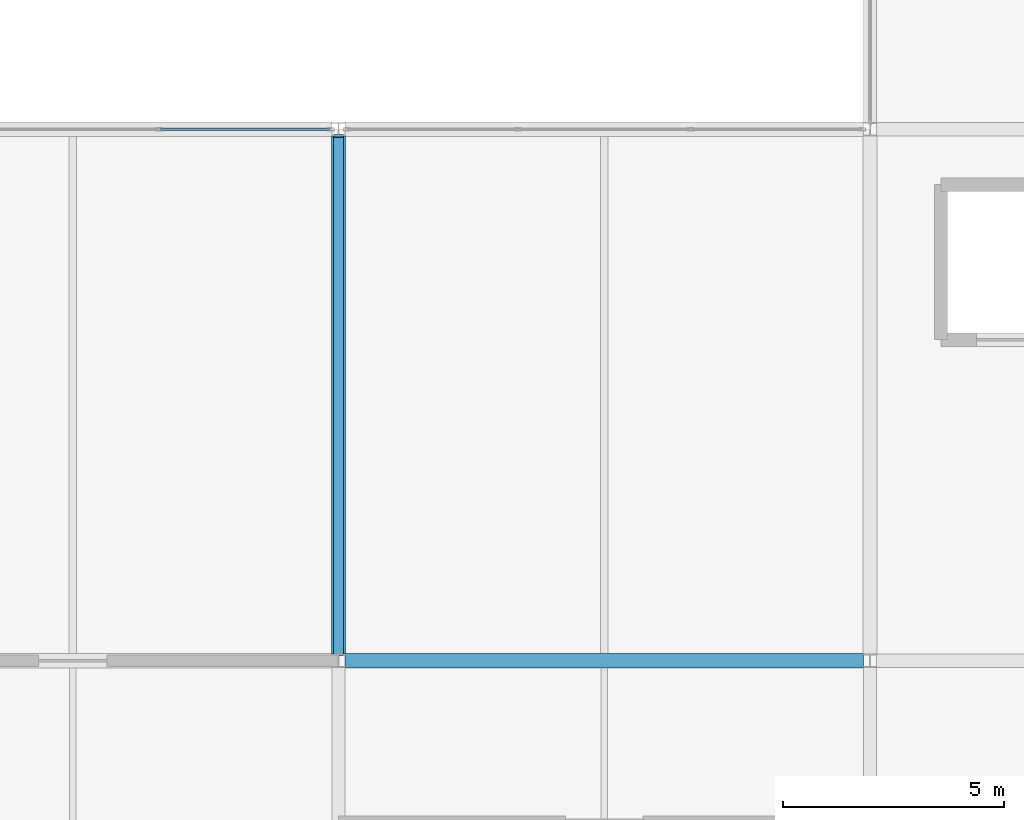
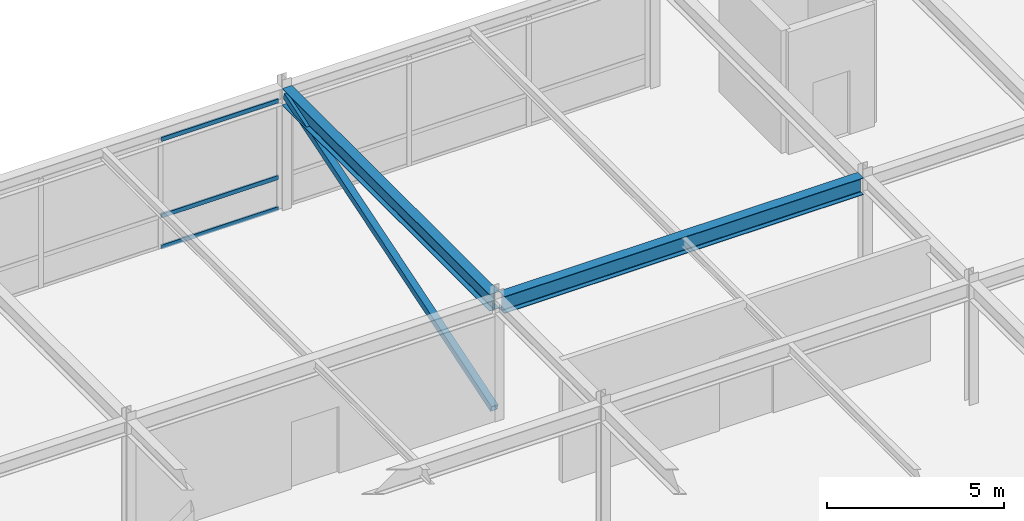
# One storey, part 33 of 108: 4 members, 2 beams, 1 element without a shape of its own.
"""IFC4 building model written with IfcOpenShell, lengths in metres."""

import ifcopenshell
import ifcopenshell.guid

model = None  # the IFC model being written
_history = None  # IfcOwnerHistory: only IFC2X3 demands one
_inside = {}  # id of a spatial element -> (the spatial element, [elements in it])
_under = {}  # id of a project, library or spatial element -> (it, [spatial elements below it])
_declared = {}  # id of a project -> (the project, [libraries it declares])
_typed = {}  # id of a type object -> (the type object, [elements of that type])
_made_of = {}  # id of a material, layer set ... -> (it, [elements and type objects made of it])


def new_model(schema):
    """Start an empty IFC model of exactly this schema.

    Asked for "IFC4X3", IfcOpenShell would pick the latest addendum, in which some entities
    have other attributes; the version numbers below select the first issue.
    IFC2X3 requires an IfcOwnerHistory on every rooted entity: one is made here for all.
    """
    global model, _history
    if schema == "IFC4X3":
        model = ifcopenshell.file(schema_version=(4, 3, 0, 0))
    else:
        model = ifcopenshell.file(schema=schema)
    _inside.clear()
    _under.clear()
    _declared.clear()
    _typed.clear()
    _made_of.clear()
    _history = None
    if model.schema == "IFC2X3":
        org = make("IfcOrganization", Name="unknown")
        user = make(
            "IfcPersonAndOrganization",
            ThePerson=make("IfcPerson", FamilyName="unknown"),
            TheOrganization=org,
        )
        app = make(
            "IfcApplication",
            ApplicationDeveloper=org,
            Version="unknown",
            ApplicationFullName="unknown",
            ApplicationIdentifier="unknown",
        )
        _history = make(
            "IfcOwnerHistory",
            OwningUser=user,
            OwningApplication=app,
            ChangeAction="ADDED",
            CreationDate=0,
        )
    return model


def make(cls, **values):
    """One entity of the class cls with the attributes given. An attribute that is None is left unset."""
    return model.create_entity(
        cls, **{name: value for name, value in values.items() if value is not None}
    )


def rooted(cls, **values):
    """An entity with a GlobalId (a new one), such as an element, a storey or a relation."""
    return make(cls, GlobalId=ifcopenshell.guid.new(), OwnerHistory=_history, **values)


def si_unit(unit_type, name, prefix=None):
    """IfcSIUnit, for example si_unit("LENGTHUNIT", "METRE", prefix="MILLI")."""
    return make("IfcSIUnit", UnitType=unit_type, Prefix=prefix, Name=name)


def assignment(units):
    """IfcUnitAssignment: the units of a project."""
    return None if units is None else make("IfcUnitAssignment", Units=units)


def point(xyz):
    """IfcCartesianPoint."""
    return None if xyz is None else make("IfcCartesianPoint", Coordinates=xyz)


def direction(xyz):
    """IfcDirection."""
    return None if xyz is None else make("IfcDirection", DirectionRatios=xyz)


def frame(location, z_axis=None, x_axis=None):
    """IfcAxis2Placement3D, a coordinate frame: its origin and axes. An axis left out is left unset."""
    return make(
        "IfcAxis2Placement3D",
        Location=point(location),
        Axis=direction(z_axis),
        RefDirection=direction(x_axis),
    )


def frame_2d(location, x_axis=None):
    """IfcAxis2Placement2D, a coordinate frame in the plane: its origin and x axis."""
    return make(
        "IfcAxis2Placement2D", Location=point(location), RefDirection=direction(x_axis)
    )


def origin():
    """The frame at (0, 0, 0) with its axes left unset."""
    return frame((0.0, 0.0, 0.0))


def origin_2d():
    """The frame at (0, 0) in the plane with its x axis left unset."""
    return frame_2d((0.0, 0.0))


def place(relative_to, where):
    """IfcLocalPlacement: puts the frame where relative to a parent placement (None: the world)."""
    return make(
        "IfcLocalPlacement", PlacementRelTo=relative_to, RelativePlacement=where
    )


def context(
    kind, dimensions, precision=None, world=None, true_north=None, identifier=None
):
    """IfcGeometricRepresentationContext, for example the 3D "Model" context."""
    return make(
        "IfcGeometricRepresentationContext",
        ContextIdentifier=identifier,
        ContextType=kind,
        CoordinateSpaceDimension=dimensions,
        Precision=precision,
        WorldCoordinateSystem=world,
        TrueNorth=true_north,
    )


def subcontext(parent, identifier, kind, view, scale=None):
    """IfcGeometricRepresentationSubContext, for example "Body" below "Model"."""
    return make(
        "IfcGeometricRepresentationSubContext",
        ContextIdentifier=identifier,
        ContextType=kind,
        ParentContext=parent,
        TargetScale=scale,
        TargetView=view,
    )


def project(units=None, contexts=None):
    """IfcProject with its units and contexts."""
    return rooted(
        "IfcProject",
        Name="project",
        RepresentationContexts=contexts,
        UnitsInContext=assignment(units),
    )


def spatial(cls, under=None, at=None, **own):
    """A site, building, storey or space (cls), placed at a placement, below another one or the project."""
    s = rooted(cls, ObjectPlacement=at, **own)
    if under is not None:
        _under.setdefault(under.id(), (under, []))[1].append(s)
    return s


def profile(cls, at=None, kind="AREA", **sizes):
    """A parametric profile (cls). Its sizes go by their IFC names, for example OverallWidth=200.0."""
    return make(cls, ProfileType=kind, Position=at, **sizes)


def hollow_rectangle(**sizes):
    """IfcRectangleHollowProfileDef."""
    return profile("IfcRectangleHollowProfileDef", **sizes)


def i_section(**sizes):
    """IfcIShapeProfileDef."""
    return profile("IfcIShapeProfileDef", **sizes)


def extrude(swept, where, along, depth):
    """IfcExtrudedAreaSolid: the profile swept, set in the frame where, extruded along a direction by depth."""
    return make(
        "IfcExtrudedAreaSolid",
        SweptArea=swept,
        Position=where,
        ExtrudedDirection=direction(along),
        Depth=depth,
    )


def shape(context_of_items, identifier, shape_type, items):
    """IfcShapeRepresentation: the items that make up one representation, for example the "Body"."""
    return make(
        "IfcShapeRepresentation",
        ContextOfItems=context_of_items,
        RepresentationIdentifier=identifier,
        RepresentationType=shape_type,
        Items=items,
    )


def material(Name=None, Category=None):
    """IfcMaterial."""
    return make("IfcMaterial", Name=Name, Category=Category)


def layer(
    of_material, thickness, ventilated=None, Name=None, Category=None, Priority=None
):
    """IfcMaterialLayer: one layer of a wall or slab, of a material (None: an air gap)."""
    return make(
        "IfcMaterialLayer",
        Material=of_material,
        LayerThickness=thickness,
        IsVentilated=ventilated,
        Name=Name,
        Category=Category,
        Priority=Priority,
    )


def layer_set(layers, Name=None):
    """IfcMaterialLayerSet."""
    return make("IfcMaterialLayerSet", MaterialLayers=layers, LayerSetName=Name)


def material_profile(
    of_material, cross_section, Name=None, Category=None, Priority=None
):
    """IfcMaterialProfile: a cross section and its material."""
    return make(
        "IfcMaterialProfile",
        Name=Name,
        Material=of_material,
        Profile=cross_section,
        Priority=Priority,
        Category=Category,
    )


def profile_set(profiles, Name=None, composite=None):
    """IfcMaterialProfileSet."""
    return make(
        "IfcMaterialProfileSet",
        Name=Name,
        MaterialProfiles=profiles,
        CompositeProfile=composite,
    )


def made_of(thing, what):
    """Note that an element or type object is made of a material, layer set ...; save() writes the relation."""
    if what is not None:
        _made_of.setdefault(what.id(), (what, []))[1].append(thing)
    return thing


def type_object(cls, material=None, **own):
    """A type object (cls), such as IfcWallType, which elements share."""
    return made_of(rooted(cls, **own), material)


def element(
    cls,
    number,
    at=None,
    inside=None,
    cuts=None,
    type_object=None,
    material=None,
    context=None,
    identifier="Body",
    shape_type=None,
    held_by="IfcProductDefinitionShape",
    body=None,
    shapes=None,
    **own,
):
    """One element of the class cls, such as IfcWall. Its Tag is "e" and its number.

    at: its placement. inside: the storey or other place that contains it. cuts: it is an
    opening in that element (IfcRelVoidsElement). A single representation is given by context,
    identifier, shape_type and body (its items); several are given by shapes. held_by: the class
    of the entity that holds the representations. save() writes the other relations.
    """
    e = rooted(cls, Tag="e%d" % number, ObjectPlacement=at, **own)
    if body is not None:
        shapes = [shape(context, identifier, shape_type, body)]
    if shapes is not None:
        e.Representation = make(held_by, Representations=shapes)
    if inside is not None:
        _inside.setdefault(inside.id(), (inside, []))[1].append(e)
    if cuts is not None:
        rooted(
            "IfcRelVoidsElement", RelatingBuildingElement=cuts, RelatedOpeningElement=e
        )
    if type_object is not None:
        _typed.setdefault(type_object.id(), (type_object, []))[1].append(e)
    return made_of(e, material)


def aggregate(whole, parts):
    """IfcRelAggregates: a whole, such as a stair, and the parts it consists of."""
    return rooted("IfcRelAggregates", RelatingObject=whole, RelatedObjects=parts)


def save(model, path):
    """Write the relations noted so far, then the file.

    IfcRelAggregates (storeys below a building ...), IfcRelContainedInSpatialStructure (elements
    in a storey), IfcRelDefinesByType, IfcRelAssociatesMaterial and IfcRelDeclares: one each for
    every whole, place, type object, material and project.
    """
    for whole, parts in _under.values():
        aggregate(whole, parts)
    for where, things in _inside.values():
        rooted(
            "IfcRelContainedInSpatialStructure",
            RelatedElements=things,
            RelatingStructure=where,
        )
    for kind, things in _typed.values():
        rooted("IfcRelDefinesByType", RelatedObjects=things, RelatingType=kind)
    for what, things in _made_of.values():
        rooted("IfcRelAssociatesMaterial", RelatedObjects=things, RelatingMaterial=what)
    for by, libraries in _declared.values():
        rooted("IfcRelDeclares", RelatingContext=by, RelatedDefinitions=libraries)
    model.write(path)


model = new_model("IFC4")

# Units and contexts
model_context = context("Model", 3, precision=1e-05, world=origin(), true_north=direction((0.0, 1.0)))
body_context = subcontext(model_context, "Body", "Model", "MODEL_VIEW")
ifc_project = project(units=[si_unit("LENGTHUNIT", "METRE"), si_unit("AREAUNIT", "SQUARE_METRE"), si_unit("VOLUMEUNIT", "CUBIC_METRE"), si_unit("PLANEANGLEUNIT", "RADIAN"), si_unit("MASSUNIT", "GRAM", prefix="KILO")], contexts=[model_context])

# Site, building, storey
site_placement = place(None, origin())
site = spatial("IfcSite", under=ifc_project, at=site_placement, CompositionType="ELEMENT")
building_placement = place(site_placement, origin())
building = spatial("IfcBuilding", under=site, at=building_placement, Name="Zlatovratsky Civic Hall", CompositionType="ELEMENT")
storey_placement = place(building_placement, frame((0.0, 0.0, 12.0)))
storey = spatial("IfcBuildingStorey", under=building, at=storey_placement, Name="L03", CompositionType="ELEMENT", Elevation=12.0)

# Beams
ifc_material_1 = material(Name="Steel S355", Category="steel")
ifc_material_profile_1 = material_profile(ifc_material_1, i_section(OverallWidth=0.320068359375, OverallDepth=0.58203125, WebThickness=0.011962890625, FlangeThickness=0.01708984375, FilletRadius=0.02392578125, at=origin_2d()), Name="60Sh1")
ifc_profile_set_1 = profile_set([ifc_material_profile_1], Name="Steel S355")
beam_type = type_object("IfcBeamType", Name="Beam_PodiumGirder_60Sh1", PredefinedType="BEAM", material=ifc_profile_set_1)
beam_1_placement = place(storey_placement, frame((36.1494140625, 18.0, 3.928955078125), z_axis=(1.0, 0.0, 0.0), x_axis=(0.0, 1.0, 0.0)))
element("IfcBeam", 1, at=beam_1_placement, inside=storey, type_object=beam_type, Name="BM-2507", PredefinedType="BEAM", context=body_context, shape_type="SweptSolid", body=[
    extrude(i_section(OverallWidth=0.320068359375, OverallDepth=0.58203125, WebThickness=0.011962890625, FlangeThickness=0.01708984375, FilletRadius=0.02392578125, at=origin_2d()), origin(), (0.0, 0.0, 1.0), 11.701171875),
])
beam_2_placement = place(storey_placement, frame((36.0, 18.14794921875, 3.928955078125), z_axis=(0.0, 1.0, 0.0), x_axis=(-1.0, 0.0, 0.0)))
element("IfcBeam", 2, at=beam_2_placement, inside=storey, type_object=beam_type, Name="BM-2857", PredefinedType="BEAM", context=body_context, shape_type="SweptSolid", body=[
    extrude(i_section(OverallWidth=0.320068359375, OverallDepth=0.58203125, WebThickness=0.011962890625, FlangeThickness=0.01708984375, FilletRadius=0.02392578125, at=origin_2d()), origin(), (0.0, 0.0, 1.0), 11.7041015625),
])

# Member
ifc_material_profile_2 = material_profile(ifc_material_1, hollow_rectangle(XDim=0.219970703125, YDim=0.219970703125, WallThickness=0.010009765625, at=origin_2d()), Name="SHS 220x220x10")
ifc_profile_set_2 = profile_set([ifc_material_profile_2], Name="Steel S355")
member_type_1 = type_object("IfcMemberType", Name="Brace_Podium_SHS220", PredefinedType="BRACE", material=ifc_profile_set_2)
member_1_placement = place(storey_placement, frame((36.0, 18.14794921875, 0.25), z_axis=(0.0, 0.953490939985, 0.301421677002), x_axis=(-1.0, 0.0, 0.0)))
element("IfcMember", 3, at=member_1_placement, inside=storey, type_object=member_type_1, Name="MB-0112", PredefinedType="BRACE", context=body_context, shape_type="SweptSolid", body=[
    extrude(hollow_rectangle(XDim=0.219970703125, YDim=0.219970703125, WallThickness=0.010009765625, at=origin_2d()), origin(), (0.0, 0.0, 1.0), 12.27490234375),
])

# Curtain wall, members
ifc_material_2 = material(Name="Anodised bronze aluminium", Category="aluminium")
ifc_layer = layer(ifc_material_2, 0.159912109375)
ifc_layer_set = layer_set([ifc_layer], Name="Anodised bronze aluminium")
curtain_wall_type = type_object("IfcCurtainWallType", Name="CurtainWall_Bronze_11700x3770_11", PredefinedType="NOTDEFINED", material=ifc_layer_set)
curtain_wall_placement = place(storey_placement, origin())
curtain_wall = element("IfcCurtainWall", 4, at=curtain_wall_placement, inside=storey, type_object=curtain_wall_type, Name="CW-052", PredefinedType="NOTDEFINED")
ifc_material_profile_3 = material_profile(ifc_material_2, hollow_rectangle(XDim=0.06005859375, YDim=0.139892578125, WallThickness=0.00390625, at=origin_2d()), Name="ALU 60x140x4")
ifc_profile_set_3 = profile_set([ifc_material_profile_3], Name="Anodised bronze aluminium")
member_type_2 = type_object("IfcMemberType", Name="CW_Transom_60x140", PredefinedType="USERDEFINED", material=ifc_profile_set_3)
member_2_placement = place(storey_placement, frame((31.980224609375, 30.0, 0.030029296875), z_axis=(1.0, 0.0, 0.0), x_axis=(0.0, 1.0, 0.0)))
member_2 = element("IfcMember", 5, at=member_2_placement, type_object=member_type_2, Name="CW-11 transom 3.1", ObjectType="TRANSOM", PredefinedType="USERDEFINED", context=body_context, shape_type="SweptSolid", body=[
    extrude(hollow_rectangle(XDim=0.06005859375, YDim=0.139892578125, WallThickness=0.00390625, at=origin_2d()), origin(), (0.0, 0.0, 1.0), 3.810302734375),
])
member_3_placement = place(storey_placement, frame((31.980224609375, 30.0, 1.10009765625), z_axis=(1.0, 0.0, 0.0), x_axis=(0.0, 1.0, 0.0)))
member_3 = element("IfcMember", 6, at=member_3_placement, type_object=member_type_2, Name="CW-11 transom 3.2", ObjectType="TRANSOM", PredefinedType="USERDEFINED", context=body_context, shape_type="SweptSolid", body=[
    extrude(hollow_rectangle(XDim=0.06005859375, YDim=0.139892578125, WallThickness=0.00390625, at=origin_2d()), origin(), (0.0, 0.0, 1.0), 3.810302734375),
])
member_4_placement = place(storey_placement, frame((31.980224609375, 30.0, 3.739990234375), z_axis=(1.0, 0.0, 0.0), x_axis=(0.0, 1.0, 0.0)))
member_4 = element("IfcMember", 7, at=member_4_placement, type_object=member_type_2, Name="CW-11 transom 3.3", ObjectType="TRANSOM", PredefinedType="USERDEFINED", context=body_context, shape_type="SweptSolid", body=[
    extrude(hollow_rectangle(XDim=0.06005859375, YDim=0.139892578125, WallThickness=0.00390625, at=origin_2d()), origin(), (0.0, 0.0, 1.0), 3.810302734375),
])
aggregate(curtain_wall, [member_2, member_3, member_4])

save(model, "model.ifc")
